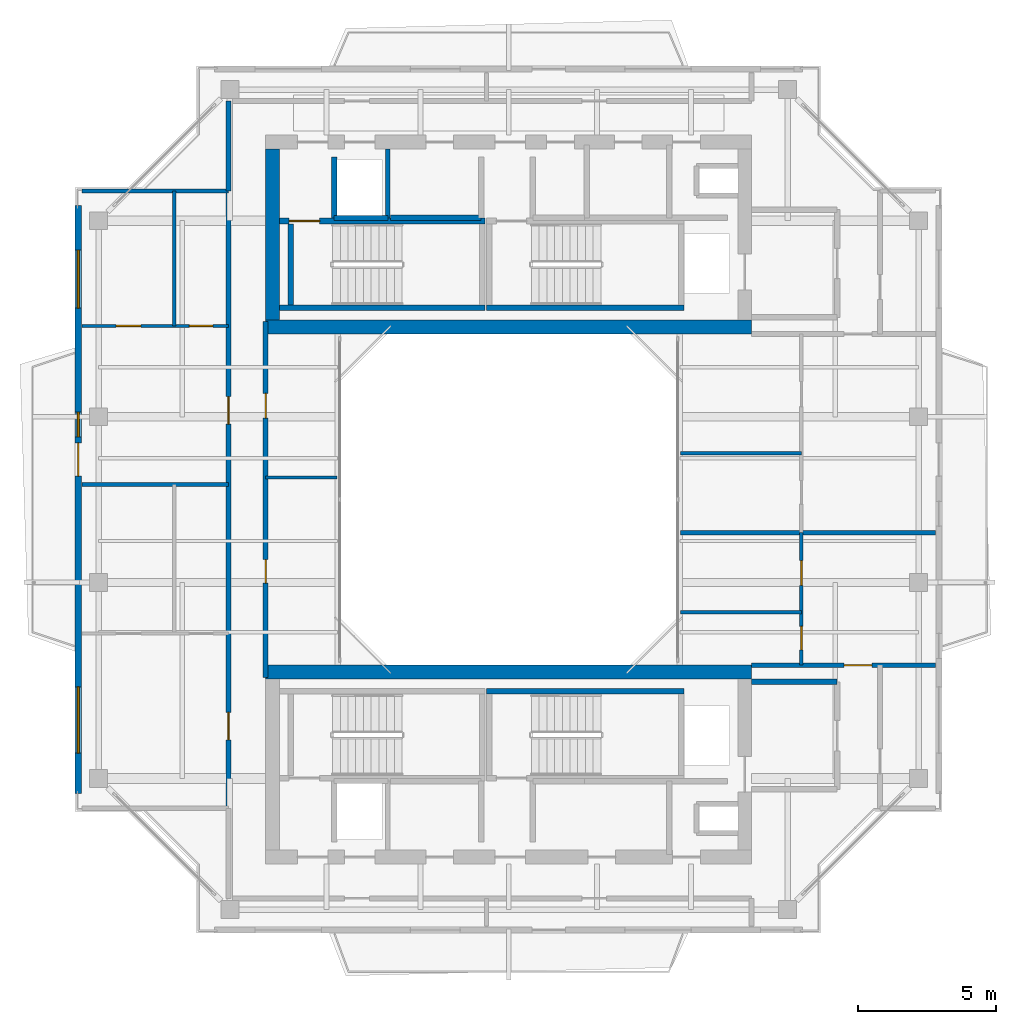
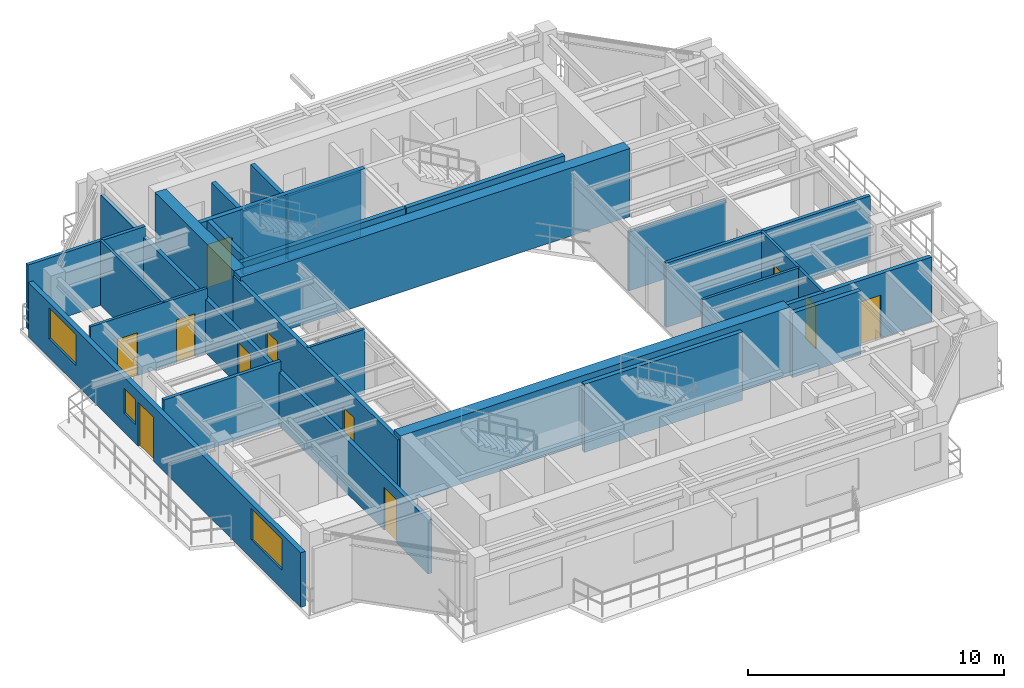
# One storey, part 10 of 14: 27 walls, 11 doors, 3 windows, 14 openings.
"""IFC4 building model written with IfcOpenShell, lengths in metres."""

from ifc_helpers import new_model, si_unit, direction, frame, frame_2d, origin, place, context, subcontext, project, spatial, rectangle, extrude, source, transform, mapped, material, layer, layer_set, type_object, element, fill, save


model = new_model("IFC4")

# Units and contexts
model_context = context("Model", 3, precision=1e-05, world=origin(), true_north=direction((0.0, 1.0)))
body_context = subcontext(model_context, "Body", "Model", "MODEL_VIEW")
ifc_project = project(units=[si_unit("LENGTHUNIT", "METRE"), si_unit("AREAUNIT", "SQUARE_METRE"), si_unit("VOLUMEUNIT", "CUBIC_METRE"), si_unit("PLANEANGLEUNIT", "RADIAN"), si_unit("MASSUNIT", "GRAM", prefix="KILO"), si_unit("THERMODYNAMICTEMPERATUREUNIT", "KELVIN"), si_unit("POWERUNIT", "WATT")], contexts=[model_context])

# Site, building, storey
site_placement = place(None, origin())
site = spatial("IfcSite", under=ifc_project, at=site_placement, CompositionType="ELEMENT")
building_placement = place(site_placement, origin())
building = spatial("IfcBuilding", under=site, at=building_placement, Name="Qiaomeng Ring Towers", CompositionType="ELEMENT")
storey_placement = place(building_placement, frame((0.0, 0.0, 247.0)))
storey = spatial("IfcBuildingStorey", under=building, at=storey_placement, Name="L72", CompositionType="ELEMENT", Elevation=247.0)

# Wall, openings, windows, door
ifc_material_1 = material(Name="Precast concrete C40", Category="concrete")
ifc_layer_1 = layer(ifc_material_1, 0.219970703125, Name="Precast concrete C40")
ifc_layer_set_1 = layer_set([ifc_layer_1], Name="Precast concrete C40")
wall_type_1 = type_object("IfcWallType", Name="ARC-WL-EW2", PredefinedType="STANDARD", material=ifc_layer_set_1)
wall_1_placement = place(storey_placement, frame((3.409912109375, 12.35009765625, 0.0), z_axis=(0.0, 0.0, 1.0), x_axis=(0.0, 1.0, 0.0)))
wall_1 = element("IfcWall", 1, at=wall_1_placement, inside=storey, type_object=wall_type_1, Name="L72 Tower 1 W Exterior Wall", PredefinedType="STANDARD", context=body_context, shape_type="SweptSolid", body=[
    extrude(rectangle(XDim=21.2998046875, YDim=0.219970703125, at=frame_2d((10.64990234375, 0.0))), origin(), (0.0, 0.0, 1.0), 2.610107421875),
])
opening_1_placement = place(wall_1_placement, frame((11.5, 0.0, 0.0)))
opening_1 = element("IfcOpeningElement", 2, at=opening_1_placement, cuts=wall_1, Name="Opening BD1", PredefinedType="OPENING", context=body_context, shape_type="SweptSolid", body=[
    extrude(rectangle(XDim=1.199951171875, YDim=2.10009765625, at=frame_2d((0.60009765625, 1.050048828125))), frame((0.0, 0.119873046875, 0.0), z_axis=(0.0, -1.0, 0.0), x_axis=(1.0, 0.0, 0.0)), (0.0, 0.0, 1.0), 0.239990234375),
])
opening_2_placement = place(wall_1_placement, frame((1.462890625, 0.0, 0.89990234375)))
opening_2 = element("IfcOpeningElement", 3, at=opening_2_placement, cuts=wall_1, Name="Opening WN6", PredefinedType="OPENING", context=body_context, shape_type="SweptSolid", body=[
    extrude(rectangle(XDim=2.39990234375, YDim=1.47998046875, at=frame_2d((1.199951171875, 0.739990234375))), frame((0.0, 0.119873046875, 0.0), z_axis=(0.0, -1.0, 0.0), x_axis=(1.0, 0.0, 0.0)), (0.0, 0.0, 1.0), 0.239990234375),
])
opening_3_placement = place(wall_1_placement, frame((17.587890625, 0.0, 0.89990234375)))
opening_3 = element("IfcOpeningElement", 4, at=opening_3_placement, cuts=wall_1, Name="Opening WN4", PredefinedType="OPENING", context=body_context, shape_type="SweptSolid", body=[
    extrude(rectangle(XDim=2.10009765625, YDim=1.47998046875, at=frame_2d((1.050048828125, 0.739990234375))), frame((0.0, 0.119873046875, 0.0), z_axis=(0.0, -1.0, 0.0), x_axis=(1.0, 0.0, 0.0)), (0.0, 0.0, 1.0), 0.239990234375),
])
opening_4_placement = place(wall_1_placement, frame((12.919921875, 0.0, 0.89990234375)))
opening_4 = element("IfcOpeningElement", 5, at=opening_4_placement, cuts=wall_1, Name="Opening WN5", PredefinedType="OPENING", context=body_context, shape_type="SweptSolid", body=[
    extrude(rectangle(XDim=0.89990234375, YDim=1.199951171875, at=frame_2d((0.449951171875, 0.60009765625))), frame((0.0, 0.119873046875, 0.0), z_axis=(0.0, -1.0, 0.0), x_axis=(1.0, 0.0, 0.0)), (0.0, 0.0, 1.0), 0.239990234375),
])
ifc_material_2 = material(Name="Low-E dark-grey laminated double glazing", Category="glass")
window_type_1 = type_object("IfcWindowType", Name="ARC-WN-4", PartitioningType="TRIPLE_PANEL_VERTICAL", PredefinedType="WINDOW", material=ifc_material_2)
shared_shape_1 = source(origin(), body_context, "Body", "SweptSolid", [
    extrude(rectangle(XDim=2.10009765625, YDim=1.47998046875, at=frame_2d((1.050048828125, 0.739990234375))), frame((0.0, 0.030029296875, 0.0), z_axis=(0.0, -1.0, 0.0), x_axis=(1.0, 0.0, 0.0)), (0.0, 0.0, 1.0), 0.06005859375),
])
window_1_placement = place(opening_3_placement, origin())
window_1 = element("IfcWindow", 6, at=window_1_placement, inside=storey, type_object=window_type_1, Name="L72 Exterior Window WN4", OverallHeight=1.47998046875, OverallWidth=2.10009765625, PartitioningType="TRIPLE_PANEL_VERTICAL", PredefinedType="WINDOW", context=body_context, shape_type="MappedRepresentation", body=[
    mapped(shared_shape_1, transform((0.0, 0.0, 0.0), x_axis=(1.0, 0.0, 0.0), y_axis=(0.0, 1.0, 0.0), z_axis=(0.0, 0.0, 1.0), scale=1.0)),
])
fill(opening_3, window_1)
window_type_2 = type_object("IfcWindowType", Name="ARC-WN-6", PartitioningType="TRIPLE_PANEL_VERTICAL", PredefinedType="WINDOW", material=ifc_material_2)
shared_shape_2 = source(origin(), body_context, "Body", "SweptSolid", [
    extrude(rectangle(XDim=2.39990234375, YDim=1.47998046875, at=frame_2d((1.199951171875, 0.739990234375))), frame((0.0, 0.030029296875, 0.0), z_axis=(0.0, -1.0, 0.0), x_axis=(1.0, 0.0, 0.0)), (0.0, 0.0, 1.0), 0.06005859375),
])
window_2_placement = place(opening_2_placement, origin())
window_2 = element("IfcWindow", 7, at=window_2_placement, inside=storey, type_object=window_type_2, Name="L72 Exterior Window WN6", OverallHeight=1.47998046875, OverallWidth=2.39990234375, PartitioningType="TRIPLE_PANEL_VERTICAL", PredefinedType="WINDOW", context=body_context, shape_type="MappedRepresentation", body=[
    mapped(shared_shape_2, transform((0.0, 0.0, 0.0), x_axis=(1.0, 0.0, 0.0), y_axis=(0.0, 1.0, 0.0), z_axis=(0.0, 0.0, 1.0), scale=1.0)),
])
fill(opening_2, window_2)
door_type_1 = type_object("IfcDoorType", Name="ARC-DR-BD1", OperationType="NOTDEFINED", PredefinedType="DOOR", material=ifc_material_2)
shared_shape_3 = source(origin(), body_context, "Body", "SweptSolid", [
    extrude(rectangle(XDim=1.199951171875, YDim=2.10009765625, at=frame_2d((0.60009765625, 1.050048828125))), frame((0.0, 0.02490234375, 0.0), z_axis=(0.0, -1.0, 0.0), x_axis=(1.0, 0.0, 0.0)), (0.0, 0.0, 1.0), 0.050048828125),
])
door_1_placement = place(opening_1_placement, frame((1.199951171875, 0.0, 0.0), z_axis=(0.0, 0.0, 1.0), x_axis=(-1.0, 0.0, 0.0)))
door_1 = element("IfcDoor", 8, at=door_1_placement, inside=storey, type_object=door_type_1, Name="L72 W Balcony Glazed Door", OperationType="SINGLE_SWING_LEFT", OverallHeight=2.10009765625, OverallWidth=1.199951171875, PredefinedType="DOOR", context=body_context, shape_type="MappedRepresentation", body=[
    mapped(shared_shape_3, transform((0.0, 0.0, 0.0), x_axis=(1.0, 0.0, 0.0), y_axis=(0.0, 1.0, 0.0), z_axis=(0.0, 0.0, 1.0), scale=1.0)),
])
fill(opening_1, door_1)
window_type_3 = type_object("IfcWindowType", Name="ARC-WN-5", PartitioningType="SINGLE_PANEL", PredefinedType="WINDOW", material=ifc_material_2)
shared_shape_4 = source(origin(), body_context, "Body", "SweptSolid", [
    extrude(rectangle(XDim=0.89990234375, YDim=1.199951171875, at=frame_2d((0.449951171875, 0.60009765625))), frame((0.0, 0.030029296875, 0.0), z_axis=(0.0, -1.0, 0.0), x_axis=(1.0, 0.0, 0.0)), (0.0, 0.0, 1.0), 0.06005859375),
])
window_3_placement = place(opening_4_placement, origin())
window_3 = element("IfcWindow", 9, at=window_3_placement, inside=storey, type_object=window_type_3, Name="L72 Exterior Window WN5", OverallHeight=1.199951171875, OverallWidth=0.89990234375, PartitioningType="SINGLE_PANEL", PredefinedType="WINDOW", context=body_context, shape_type="MappedRepresentation", body=[
    mapped(shared_shape_4, transform((0.0, 0.0, 0.0), x_axis=(1.0, 0.0, 0.0), y_axis=(0.0, 1.0, 0.0), z_axis=(0.0, 0.0, 1.0), scale=1.0)),
])
fill(opening_4, window_3)

# Walls
ifc_material_3 = material(Name="Autoclaved aerated concrete block", Category="concrete")
ifc_layer_2 = layer(ifc_material_3, 0.199951171875, Name="Autoclaved aerated concrete block")
ifc_layer_set_2 = layer_set([ifc_layer_2], Name="Autoclaved aerated concrete block")
wall_type_2 = type_object("IfcWallType", Name="ARC-WL-PW1", PredefinedType="PARTITIONING", material=ifc_layer_set_2)
wall_2_placement = place(storey_placement, frame((27.800048828125, 16.39990234375, 0.0), z_axis=(0.0, 0.0, 1.0), x_axis=(1.0, 0.0, 0.0)))
element("IfcWall", 10, at=wall_2_placement, inside=storey, type_object=wall_type_2, Name="L72 Interior Wall PW1", PredefinedType="PARTITIONING", context=body_context, shape_type="SweptSolid", body=[
    extrude(rectangle(XDim=3.099853515625, YDim=0.199951171875, at=frame_2d((1.5498046875, 0.0))), origin(), (0.0, 0.0, 1.0), 3.070068359375),
])
wall_3_placement = place(storey_placement, frame((12.679931640625, 33.18994140625, 0.0), z_axis=(0.0, 0.0, 1.0), x_axis=(0.0, 1.0, 0.0)))
element("IfcWall", 11, at=wall_3_placement, inside=storey, type_object=wall_type_2, Name="L72 Interior Wall PW1", PredefinedType="PARTITIONING", context=body_context, shape_type="SweptSolid", body=[
    extrude(rectangle(XDim=2.2099609375, YDim=0.199951171875, at=frame_2d((1.10498046875, 0.0))), origin(), (0.0, 0.0, 1.0), 3.070068359375),
])
wall_4_placement = place(storey_placement, frame((14.719970703125, 33.199951171875, 0.0), z_axis=(0.0, 0.0, 1.0), x_axis=(1.0, 0.0, 0.0)))
element("IfcWall", 12, at=wall_4_placement, inside=storey, type_object=wall_type_2, Name="L72 Interior Wall PW1", PredefinedType="PARTITIONING", context=body_context, shape_type="SweptSolid", body=[
    extrude(rectangle(XDim=3.280029296875, YDim=0.199951171875, at=frame_2d((1.64013671875, 0.0))), origin(), (0.0, 0.0, 1.0), 3.070068359375),
])
ifc_layer_3 = layer(ifc_material_3, 0.179931640625, Name="Autoclaved aerated concrete block")
ifc_layer_set_3 = layer_set([ifc_layer_3], Name="Autoclaved aerated concrete block")
wall_type_3 = type_object("IfcWallType", Name="ARC-WL-PW2", PredefinedType="PARTITIONING", material=ifc_layer_set_3)
wall_5_placement = place(storey_placement, frame((8.85009765625, 34.179931640625, 0.0), z_axis=(0.0, 0.0, 1.0), x_axis=(0.0, 1.0, 0.0)))
element("IfcWall", 13, at=wall_5_placement, inside=storey, type_object=wall_type_3, Name="L72 Interior Wall PW2", PredefinedType="PARTITIONING", context=body_context, shape_type="SweptSolid", body=[
    extrude(rectangle(XDim=3.260009765625, YDim=0.179931640625, at=frame_2d((1.6298828125, 0.0))), origin(), (0.0, 0.0, 1.0), 2.569091796875),
])

# Wall, openings, doors
wall_6_placement = place(storey_placement, frame((8.85009765625, 11.820068359375, 0.0), z_axis=(0.0, 0.0, 1.0), x_axis=(0.0, 1.0, 0.0)))
wall_6 = element("IfcWall", 14, at=wall_6_placement, inside=storey, type_object=wall_type_3, Name="L72 Interior Wall PW2", PredefinedType="PARTITIONING", context=body_context, shape_type="SweptSolid", body=[
    extrude(rectangle(XDim=22.35986328125, YDim=0.179931640625, at=frame_2d((11.179931640625, 0.0))), origin(), (0.0, 0.0, 1.0), 2.569091796875),
])
opening_5_placement = place(wall_6_placement, frame((2.47509765625, 0.0, 0.0)))
opening_5 = element("IfcOpeningElement", 15, at=opening_5_placement, cuts=wall_6, Name="Opening FD4", PredefinedType="OPENING", context=body_context, shape_type="SweptSolid", body=[
    extrude(rectangle(XDim=1.0, YDim=2.050048828125, at=frame_2d((0.5, 1.02490234375))), frame((0.0, 0.099853515625, 0.0), z_axis=(0.0, -1.0, 0.0), x_axis=(1.0, 0.0, 0.0)), (0.0, 0.0, 1.0), 0.199951171875),
])
opening_6_placement = place(wall_6_placement, frame((13.909912109375, 0.0, 0.0)))
opening_6 = element("IfcOpeningElement", 16, at=opening_6_placement, cuts=wall_6, Name="Opening FD4", PredefinedType="OPENING", context=body_context, shape_type="SweptSolid", body=[
    extrude(rectangle(XDim=1.0, YDim=2.050048828125, at=frame_2d((0.5, 1.02490234375))), frame((0.0, 0.099853515625, 0.0), z_axis=(0.0, -1.0, 0.0), x_axis=(1.0, 0.0, 0.0)), (0.0, 0.0, 1.0), 0.199951171875),
])
ifc_material_4 = material(Name="Engineered fire-rated oak timber", Category="wood")
door_type_2 = type_object("IfcDoorType", Name="ARC-DR-FD4", OperationType="NOTDEFINED", PredefinedType="DOOR", material=ifc_material_4)
shared_shape_5 = source(origin(), body_context, "Body", "SweptSolid", [
    extrude(rectangle(XDim=1.0, YDim=2.050048828125, at=frame_2d((0.5, 1.02490234375))), frame((0.0, 0.02490234375, 0.0), z_axis=(0.0, -1.0, 0.0), x_axis=(1.0, 0.0, 0.0)), (0.0, 0.0, 1.0), 0.050048828125),
])
door_2_placement = place(opening_5_placement, origin())
door_2 = element("IfcDoor", 17, at=door_2_placement, inside=storey, type_object=door_type_2, Name="L72 Door FD4", OperationType="SINGLE_SWING_RIGHT", OverallHeight=2.050048828125, OverallWidth=1.0, PredefinedType="DOOR", context=body_context, shape_type="MappedRepresentation", body=[
    mapped(shared_shape_5, transform((0.0, 0.0, 0.0), x_axis=(1.0, 0.0, 0.0), y_axis=(0.0, 1.0, 0.0), z_axis=(0.0, 0.0, 1.0), scale=1.0)),
])
fill(opening_5, door_2)
door_3_placement = place(opening_6_placement, origin())
door_3 = element("IfcDoor", 18, at=door_3_placement, inside=storey, type_object=door_type_2, Name="L72 Door FD4", OperationType="SINGLE_SWING_LEFT", OverallHeight=2.050048828125, OverallWidth=1.0, PredefinedType="DOOR", context=body_context, shape_type="MappedRepresentation", body=[
    mapped(shared_shape_5, transform((0.0, 0.0, 0.0), x_axis=(1.0, 0.0, 0.0), y_axis=(0.0, 1.0, 0.0), z_axis=(0.0, 0.0, 1.0), scale=1.0)),
])
fill(opening_6, door_3)

wall_7_placement = place(storey_placement, frame((10.199951171875, 16.550048828125, 0.0), z_axis=(0.0, 0.0, 1.0), x_axis=(0.0, 1.0, 0.0)))
wall_7 = element("IfcWall", 19, at=wall_7_placement, inside=storey, type_object=wall_type_3, Name="L72 Interior Wall PW2", PredefinedType="PARTITIONING", context=body_context, shape_type="SweptSolid", body=[
    extrude(rectangle(XDim=12.89990234375, YDim=0.179931640625, at=frame_2d((6.449951171875, 0.0))), origin(), (0.0, 0.0, 1.0), 3.070068359375),
])
opening_7_placement = place(wall_7_placement, frame((3.425048828125, 0.0, 0.0)))
opening_7 = element("IfcOpeningElement", 20, at=opening_7_placement, cuts=wall_7, Name="Opening ID2", PredefinedType="OPENING", context=body_context, shape_type="SweptSolid", body=[
    extrude(rectangle(XDim=0.85009765625, YDim=2.050048828125, at=frame_2d((0.425048828125, 1.02490234375))), frame((0.0, 0.099853515625, 0.0), z_axis=(0.0, -1.0, 0.0), x_axis=(1.0, 0.0, 0.0)), (0.0, 0.0, 1.0), 0.199951171875),
])
opening_8_placement = place(wall_7_placement, frame((9.39990234375, 0.0, 0.0)))
opening_8 = element("IfcOpeningElement", 21, at=opening_8_placement, cuts=wall_7, Name="Opening ID1", PredefinedType="OPENING", context=body_context, shape_type="SweptSolid", body=[
    extrude(rectangle(XDim=0.89990234375, YDim=2.050048828125, at=frame_2d((0.449951171875, 1.02490234375))), frame((0.0, 0.099853515625, 0.0), z_axis=(0.0, -1.0, 0.0), x_axis=(1.0, 0.0, 0.0)), (0.0, 0.0, 1.0), 0.199951171875),
])
ifc_material_5 = material(Name="Moisture-resistant engineered timber", Category="wood")
door_type_3 = type_object("IfcDoorType", Name="ARC-DR-ID2", OperationType="NOTDEFINED", PredefinedType="DOOR", material=ifc_material_5)
shared_shape_6 = source(origin(), body_context, "Body", "SweptSolid", [
    extrude(rectangle(XDim=0.85009765625, YDim=2.050048828125, at=frame_2d((0.425048828125, 1.02490234375))), frame((0.0, 0.02490234375, 0.0), z_axis=(0.0, -1.0, 0.0), x_axis=(1.0, 0.0, 0.0)), (0.0, 0.0, 1.0), 0.050048828125),
])
door_4_placement = place(opening_7_placement, origin())
door_4 = element("IfcDoor", 22, at=door_4_placement, inside=storey, type_object=door_type_3, Name="L72 Door ID2", OperationType="SINGLE_SWING_RIGHT", OverallHeight=2.050048828125, OverallWidth=0.85009765625, PredefinedType="DOOR", context=body_context, shape_type="MappedRepresentation", body=[
    mapped(shared_shape_6, transform((0.0, 0.0, 0.0), x_axis=(1.0, 0.0, 0.0), y_axis=(0.0, 1.0, 0.0), z_axis=(0.0, 0.0, 1.0), scale=1.0)),
])
fill(opening_7, door_4)
ifc_material_6 = material(Name="Engineered oak timber", Category="wood")
door_type_4 = type_object("IfcDoorType", Name="ARC-DR-ID1", OperationType="NOTDEFINED", PredefinedType="DOOR", material=ifc_material_6)
shared_shape_7 = source(origin(), body_context, "Body", "SweptSolid", [
    extrude(rectangle(XDim=0.89990234375, YDim=2.050048828125, at=frame_2d((0.449951171875, 1.02490234375))), frame((0.0, 0.02490234375, 0.0), z_axis=(0.0, -1.0, 0.0), x_axis=(1.0, 0.0, 0.0)), (0.0, 0.0, 1.0), 0.050048828125),
])
door_5_placement = place(opening_8_placement, origin())
door_5 = element("IfcDoor", 23, at=door_5_placement, inside=storey, type_object=door_type_4, Name="L72 Door ID1", OperationType="SINGLE_SWING_LEFT", OverallHeight=2.050048828125, OverallWidth=0.89990234375, PredefinedType="DOOR", context=body_context, shape_type="MappedRepresentation", body=[
    mapped(shared_shape_7, transform((0.0, 0.0, 0.0), x_axis=(1.0, 0.0, 0.0), y_axis=(0.0, 1.0, 0.0), z_axis=(0.0, 0.0, 1.0), scale=1.0)),
])
fill(opening_8, door_5)

# Wall, opening, door
wall_8_placement = place(storey_placement, frame((27.800048828125, 17.0, 0.0), z_axis=(0.0, 0.0, 1.0), x_axis=(1.0, 0.0, 0.0)))
wall_8 = element("IfcWall", 24, at=wall_8_placement, inside=storey, type_object=wall_type_3, Name="L72 Interior Wall PW2", PredefinedType="PARTITIONING", context=body_context, shape_type="SweptSolid", body=[
    extrude(rectangle(XDim=6.64990234375, YDim=0.179931640625, at=frame_2d((3.324951171875, 0.0))), origin(), (0.0, 0.0, 1.0), 3.070068359375),
])
opening_9_placement = place(wall_8_placement, frame((3.35009765625, 0.0, 0.0)))
opening_9 = element("IfcOpeningElement", 25, at=opening_9_placement, cuts=wall_8, Name="Opening FD4", PredefinedType="OPENING", context=body_context, shape_type="SweptSolid", body=[
    extrude(rectangle(XDim=1.0, YDim=2.050048828125, at=frame_2d((0.5, 1.02490234375))), frame((0.0, 0.099853515625, 0.0), z_axis=(0.0, -1.0, 0.0), x_axis=(1.0, 0.0, 0.0)), (0.0, 0.0, 1.0), 0.199951171875),
])
door_6_placement = place(opening_9_placement, origin())
door_6 = element("IfcDoor", 26, at=door_6_placement, inside=storey, type_object=door_type_2, Name="L72 Door FD4", OperationType="SINGLE_SWING_RIGHT", OverallHeight=2.050048828125, OverallWidth=1.0, PredefinedType="DOOR", context=body_context, shape_type="MappedRepresentation", body=[
    mapped(shared_shape_5, transform((0.0, 0.0, 0.0), x_axis=(1.0, 0.0, 0.0), y_axis=(0.0, 1.0, 0.0), z_axis=(0.0, 0.0, 1.0), scale=1.0)),
])
fill(opening_9, door_6)

# Walls
ifc_material_7 = material(Name="Gypsum fireboard steel-stud partition", Category="steel")
ifc_layer_4 = layer(ifc_material_7, 0.14990234375, Name="Gypsum fireboard steel-stud partition")
ifc_layer_set_4 = layer_set([ifc_layer_4], Name="Gypsum fireboard steel-stud partition")
wall_type_4 = type_object("IfcWallType", Name="ARC-WL-PW3", PredefinedType="PARTITIONING", material=ifc_layer_set_4)
for number, where, z_axis, x_axis, name in (
    (27, (3.550048828125, 34.179931640625, 0.0), (0.0, 0.0, 1.0), (1.0, 0.0, 0.0), "L72 Interior Wall PW3"),
    (28, (3.550048828125, 23.550048828125, 0.0), (0.0, 0.0, 1.0), (1.0, 0.0, 0.0), "L72 Interior Wall PW3"),
):
    element("IfcWall", number, at=place(storey_placement, frame(where, z_axis=z_axis, x_axis=x_axis)), inside=storey, type_object=wall_type_4, Name=name, PredefinedType="PARTITIONING", context=body_context, shape_type="SweptSolid", body=[
        extrude(rectangle(XDim=5.300048828125, YDim=0.14990234375, at=frame_2d((2.64990234375, 0.0))), origin(), (0.0, 0.0, 1.0), 3.070068359375),
    ])
wall_9_placement = place(storey_placement, frame((25.219970703125, 21.800048828125, 0.0), z_axis=(0.0, 0.0, 1.0), x_axis=(1.0, 0.0, 0.0)))
element("IfcWall", 29, at=wall_9_placement, inside=storey, type_object=wall_type_4, Name="L72 Interior Wall PW3", PredefinedType="PARTITIONING", context=body_context, shape_type="SweptSolid", body=[
    extrude(rectangle(XDim=9.22998046875, YDim=0.14990234375, at=frame_2d((4.614990234375, 0.0))), origin(), (0.0, 0.0, 1.0), 3.070068359375),
])

# Wall, openings, doors
ifc_material_8 = material(Name="Moisture-resistant gypsum steel-stud partition", Category="steel")
ifc_layer_5 = layer(ifc_material_8, 0.1201171875, Name="Moisture-resistant gypsum steel-stud partition")
ifc_layer_set_5 = layer_set([ifc_layer_5], Name="Moisture-resistant gypsum steel-stud partition")
wall_type_5 = type_object("IfcWallType", Name="ARC-WL-PW4", PredefinedType="PLUMBINGWALL", material=ifc_layer_set_5)
wall_10_placement = place(storey_placement, frame((3.550048828125, 29.2900390625, 0.0), z_axis=(0.0, 0.0, 1.0), x_axis=(1.0, 0.0, 0.0)))
wall_10 = element("IfcWall", 30, at=wall_10_placement, inside=storey, type_object=wall_type_5, Name="L72 Interior Wall PW4", PredefinedType="PLUMBINGWALL", context=body_context, shape_type="SweptSolid", body=[
    extrude(rectangle(XDim=5.300048828125, YDim=0.1201171875, at=frame_2d((2.64990234375, 0.0))), origin(), (0.0, 0.0, 1.0), 3.070068359375),
])
opening_10_placement = place(wall_10_placement, frame((1.22998046875, 0.0, 0.0)))
opening_10 = element("IfcOpeningElement", 31, at=opening_10_placement, cuts=wall_10, Name="Opening ID1", PredefinedType="OPENING", context=body_context, shape_type="SweptSolid", body=[
    extrude(rectangle(XDim=0.89990234375, YDim=2.050048828125, at=frame_2d((0.449951171875, 1.02490234375))), frame((0.0, 0.070068359375, 0.0), z_axis=(0.0, -1.0, 0.0), x_axis=(1.0, 0.0, 0.0)), (0.0, 0.0, 1.0), 0.14013671875),
])
opening_11_placement = place(wall_10_placement, frame((3.885009765625, 0.0, 0.0)))
opening_11 = element("IfcOpeningElement", 32, at=opening_11_placement, cuts=wall_10, Name="Opening ID2", PredefinedType="OPENING", context=body_context, shape_type="SweptSolid", body=[
    extrude(rectangle(XDim=0.85009765625, YDim=2.050048828125, at=frame_2d((0.425048828125, 1.02490234375))), frame((0.0, 0.070068359375, 0.0), z_axis=(0.0, -1.0, 0.0), x_axis=(1.0, 0.0, 0.0)), (0.0, 0.0, 1.0), 0.14013671875),
])
door_7_placement = place(opening_11_placement, origin())
door_7 = element("IfcDoor", 33, at=door_7_placement, inside=storey, type_object=door_type_3, Name="L72 Door ID2", OperationType="SINGLE_SWING_RIGHT", OverallHeight=2.050048828125, OverallWidth=0.85009765625, PredefinedType="DOOR", context=body_context, shape_type="MappedRepresentation", body=[
    mapped(shared_shape_6, transform((0.0, 0.0, 0.0), x_axis=(1.0, 0.0, 0.0), y_axis=(0.0, 1.0, 0.0), z_axis=(0.0, 0.0, 1.0), scale=1.0)),
])
fill(opening_11, door_7)
door_8_placement = place(opening_10_placement, origin())
door_8 = element("IfcDoor", 34, at=door_8_placement, inside=storey, type_object=door_type_4, Name="L72 Door ID1", OperationType="SINGLE_SWING_LEFT", OverallHeight=2.050048828125, OverallWidth=0.89990234375, PredefinedType="DOOR", context=body_context, shape_type="MappedRepresentation", body=[
    mapped(shared_shape_7, transform((0.0, 0.0, 0.0), x_axis=(1.0, 0.0, 0.0), y_axis=(0.0, 1.0, 0.0), z_axis=(0.0, 0.0, 1.0), scale=1.0)),
])
fill(opening_10, door_8)

# Walls
wall_11_placement = place(storey_placement, frame((6.889892578125, 29.2900390625, 0.0), z_axis=(0.0, 0.0, 1.0), x_axis=(0.0, 1.0, 0.0)))
element("IfcWall", 35, at=wall_11_placement, inside=storey, type_object=wall_type_5, Name="L72 Interior Wall PW4", PredefinedType="PLUMBINGWALL", context=body_context, shape_type="SweptSolid", body=[
    extrude(rectangle(XDim=4.889892578125, YDim=0.1201171875, at=frame_2d((2.44482421875, 0.0))), origin(), (0.0, 0.0, 1.0), 3.070068359375),
])
wall_12_placement = place(storey_placement, frame((10.199951171875, 23.800048828125, 0.0), z_axis=(0.0, 0.0, 1.0), x_axis=(1.0, 0.0, 0.0)))
element("IfcWall", 36, at=wall_12_placement, inside=storey, type_object=wall_type_5, Name="L72 Interior Wall PW4", PredefinedType="PLUMBINGWALL", context=body_context, shape_type="SweptSolid", body=[
    extrude(rectangle(XDim=2.580078125, YDim=0.1201171875, at=frame_2d((1.2900390625, 0.0))), origin(), (0.0, 0.0, 1.0), 3.070068359375),
])

# Wall, openings, doors
wall_13_placement = place(storey_placement, frame((29.60009765625, 17.0, 0.0), z_axis=(0.0, 0.0, 1.0), x_axis=(0.0, 1.0, 0.0)))
wall_13 = element("IfcWall", 37, at=wall_13_placement, inside=storey, type_object=wall_type_5, Name="L72 Interior Wall PW4", PredefinedType="PLUMBINGWALL", context=body_context, shape_type="SweptSolid", body=[
    extrude(rectangle(XDim=4.800048828125, YDim=0.1201171875, at=frame_2d((2.39990234375, 0.0))), origin(), (0.0, 0.0, 1.0), 3.070068359375),
])
opening_12_placement = place(wall_13_placement, frame((0.554931640625, 0.0, 0.0)))
opening_12 = element("IfcOpeningElement", 38, at=opening_12_placement, cuts=wall_13, Name="Opening ID2", PredefinedType="OPENING", context=body_context, shape_type="SweptSolid", body=[
    extrude(rectangle(XDim=0.85009765625, YDim=2.050048828125, at=frame_2d((0.425048828125, 1.02490234375))), frame((0.0, 0.070068359375, 0.0), z_axis=(0.0, -1.0, 0.0), x_axis=(1.0, 0.0, 0.0)), (0.0, 0.0, 1.0), 0.14013671875),
])
opening_13_placement = place(wall_13_placement, frame((2.889892578125, 0.0, 0.0)))
opening_13 = element("IfcOpeningElement", 39, at=opening_13_placement, cuts=wall_13, Name="Opening ID1", PredefinedType="OPENING", context=body_context, shape_type="SweptSolid", body=[
    extrude(rectangle(XDim=0.89990234375, YDim=2.050048828125, at=frame_2d((0.449951171875, 1.02490234375))), frame((0.0, 0.070068359375, 0.0), z_axis=(0.0, -1.0, 0.0), x_axis=(1.0, 0.0, 0.0)), (0.0, 0.0, 1.0), 0.14013671875),
])
door_9_placement = place(opening_12_placement, origin())
door_9 = element("IfcDoor", 40, at=door_9_placement, inside=storey, type_object=door_type_3, Name="L72 Door ID2", OperationType="SINGLE_SWING_RIGHT", OverallHeight=2.050048828125, OverallWidth=0.85009765625, PredefinedType="DOOR", context=body_context, shape_type="MappedRepresentation", body=[
    mapped(shared_shape_6, transform((0.0, 0.0, 0.0), x_axis=(1.0, 0.0, 0.0), y_axis=(0.0, 1.0, 0.0), z_axis=(0.0, 0.0, 1.0), scale=1.0)),
])
fill(opening_12, door_9)
door_10_placement = place(opening_13_placement, origin())
door_10 = element("IfcDoor", 41, at=door_10_placement, inside=storey, type_object=door_type_4, Name="L72 Door ID1", OperationType="SINGLE_SWING_LEFT", OverallHeight=2.050048828125, OverallWidth=0.89990234375, PredefinedType="DOOR", context=body_context, shape_type="MappedRepresentation", body=[
    mapped(shared_shape_7, transform((0.0, 0.0, 0.0), x_axis=(1.0, 0.0, 0.0), y_axis=(0.0, 1.0, 0.0), z_axis=(0.0, 0.0, 1.0), scale=1.0)),
])
fill(opening_13, door_10)

# Walls
wall_14_placement = place(storey_placement, frame((25.219970703125, 18.919921875, 0.0), z_axis=(0.0, 0.0, 1.0), x_axis=(1.0, 0.0, 0.0)))
element("IfcWall", 42, at=wall_14_placement, inside=storey, type_object=wall_type_5, Name="L72 Interior Wall PW4", PredefinedType="PLUMBINGWALL", context=body_context, shape_type="SweptSolid", body=[
    extrude(rectangle(XDim=4.380126953125, YDim=0.1201171875, at=frame_2d((2.18994140625, 0.0))), origin(), (0.0, 0.0, 1.0), 3.070068359375),
])
wall_15_placement = place(storey_placement, frame((25.219970703125, 24.679931640625, 0.0), z_axis=(0.0, 0.0, 1.0), x_axis=(1.0, 0.0, 0.0)))
element("IfcWall", 43, at=wall_15_placement, inside=storey, type_object=wall_type_5, Name="L72 Interior Wall PW4", PredefinedType="PLUMBINGWALL", context=body_context, shape_type="SweptSolid", body=[
    extrude(rectangle(XDim=4.380126953125, YDim=0.1201171875, at=frame_2d((2.18994140625, 0.0))), origin(), (0.0, 0.0, 1.0), 2.81494140625),
])
ifc_material_9 = material(Name="Concrete C40", Category="concrete")
ifc_layer_6 = layer(ifc_material_9, 0.199951171875, Name="Concrete C40")
ifc_layer_set_6 = layer_set([ifc_layer_6], Name="Concrete C40")
wall_type_6 = type_object("IfcWallType", Name="STR-WL-STSHAFT", PredefinedType="SHEAR", material=ifc_layer_set_6)
wall_16_placement = place(storey_placement, frame((12.679931640625, 33.199951171875, 0.0), z_axis=(0.0, 0.0, 1.0), x_axis=(1.0, 0.0, 0.0)))
element("IfcWall", 44, at=wall_16_placement, inside=storey, type_object=wall_type_6, Name="L72 Lift LP5 Shaft Back Wall", PredefinedType="SHEAR", context=body_context, shape_type="SweptSolid", body=[
    extrude(rectangle(XDim=1.940185546875, YDim=0.179931640625, at=frame_2d((0.97021484375, 0.0))), origin(), (0.0, 0.0, 1.0), 3.070068359375),
])
wall_17_placement = place(storey_placement, frame((14.6201171875, 33.199951171875, 0.0), z_axis=(0.0, 0.0, 1.0), x_axis=(0.0, 1.0, 0.0)))
element("IfcWall", 45, at=wall_17_placement, inside=storey, type_object=wall_type_6, Name="L72 Lift LP5-LP3 Shaft Divider Wall", PredefinedType="SHEAR", context=body_context, shape_type="SweptSolid", body=[
    extrude(rectangle(XDim=2.5, YDim=0.179931640625, at=frame_2d((1.25, 0.0))), origin(), (0.0, 0.0, 1.0), 3.070068359375),
])
wall_18_placement = place(storey_placement, frame((10.699951171875, 29.949951171875, 0.0), z_axis=(0.0, 0.0, 1.0), x_axis=(1.0, 0.0, 0.0)))
element("IfcWall", 46, at=wall_18_placement, inside=storey, type_object=wall_type_6, Name="L72 Stair ST1 South Shaft Shear Wall", PredefinedType="SHEAR", context=body_context, shape_type="SweptSolid", body=[
    extrude(rectangle(XDim=7.449951171875, YDim=0.199951171875, at=frame_2d((3.72509765625, 0.0))), origin(), (0.0, 0.0, 1.0), 3.25),
])

# Wall, opening, door
wall_19_placement = place(storey_placement, frame((10.699951171875, 33.090087890625, 0.0), z_axis=(0.0, 0.0, 1.0), x_axis=(1.0, 0.0, 0.0)))
wall_19 = element("IfcWall", 47, at=wall_19_placement, inside=storey, type_object=wall_type_6, Name="L72 Stair ST1 North Shaft Shear Wall", PredefinedType="SHEAR", context=body_context, shape_type="SweptSolid", body=[
    extrude(rectangle(XDim=7.449951171875, YDim=0.199951171875, at=frame_2d((3.72509765625, 0.0))), origin(), (0.0, 0.0, 1.0), 3.25),
])
opening_14_placement = place(wall_19_placement, frame((0.35009765625, 0.0, 0.0)))
opening_14 = element("IfcOpeningElement", 48, at=opening_14_placement, cuts=wall_19, Name="Opening FD3", PredefinedType="OPENING", context=body_context, shape_type="SweptSolid", body=[
    extrude(rectangle(XDim=1.10009765625, YDim=2.050048828125, at=frame_2d((0.550048828125, 1.02490234375))), frame((0.0, 0.10986328125, 0.0), z_axis=(0.0, -1.0, 0.0), x_axis=(1.0, 0.0, 0.0)), (0.0, 0.0, 1.0), 0.219970703125),
])
ifc_material_10 = material(Name="Galvanised steel", Category="steel")
door_type_5 = type_object("IfcDoorType", Name="ARC-DR-FD3", OperationType="NOTDEFINED", PredefinedType="DOOR", material=ifc_material_10)
shared_shape_8 = source(origin(), body_context, "Body", "SweptSolid", [
    extrude(rectangle(XDim=1.10009765625, YDim=2.050048828125, at=frame_2d((0.550048828125, 1.02490234375))), frame((0.0, 0.02490234375, 0.0), z_axis=(0.0, -1.0, 0.0), x_axis=(1.0, 0.0, 0.0)), (0.0, 0.0, 1.0), 0.050048828125),
])
door_11_placement = place(opening_14_placement, origin())
door_11 = element("IfcDoor", 49, at=door_11_placement, inside=storey, type_object=door_type_5, Name="L72 Stair ST1 Exit Door", OperationType="SINGLE_SWING_RIGHT", OverallHeight=2.050048828125, OverallWidth=1.10009765625, PredefinedType="DOOR", context=body_context, shape_type="MappedRepresentation", body=[
    mapped(shared_shape_8, transform((0.0, 0.0, 0.0), x_axis=(1.0, 0.0, 0.0), y_axis=(0.0, 1.0, 0.0), z_axis=(0.0, 0.0, 1.0), scale=1.0)),
])
fill(opening_14, door_11)

# Walls
wall_20_placement = place(storey_placement, frame((11.10009765625, 30.050048828125, 0.0), z_axis=(0.0, 0.0, 1.0), x_axis=(0.0, 1.0, 0.0)))
element("IfcWall", 50, at=wall_20_placement, inside=storey, type_object=wall_type_6, Name="L72 Stair ST1 West Shaft Shear Wall", PredefinedType="SHEAR", context=body_context, shape_type="SweptSolid", body=[
    extrude(rectangle(XDim=2.93994140625, YDim=0.199951171875, at=frame_2d((1.469970703125, 0.0))), origin(), (0.0, 0.0, 1.0), 3.25),
])
for number, where, z_axis, x_axis, name in (
    (51, (18.199951171875, 29.949951171875, 0.0), (0.0, 0.0, 1.0), (1.0, 0.0, 0.0), "L72 Stair ST2 South Shaft Shear Wall"),
    (52, (18.199951171875, 16.050048828125, 0.0), (0.0, 0.0, 1.0), (1.0, 0.0, 0.0), "L72 Stair ST4 North Shaft Shear Wall"),
):
    element("IfcWall", number, at=place(storey_placement, frame(where, z_axis=z_axis, x_axis=x_axis)), inside=storey, type_object=wall_type_6, Name=name, PredefinedType="SHEAR", context=body_context, shape_type="SweptSolid", body=[
        extrude(rectangle(XDim=7.150146484375, YDim=0.199951171875, at=frame_2d((3.5751953125, 0.0))), origin(), (0.0, 0.0, 1.0), 3.25),
    ])
ifc_layer_7 = layer(ifc_material_9, 0.5, Name="Concrete C40")
ifc_layer_set_7 = layer_set([ifc_layer_7], Name="Concrete C40")
wall_type_7 = type_object("IfcWallType", Name="STR-WL-SW3", PredefinedType="SHEAR", material=ifc_layer_set_7)
wall_21_placement = place(storey_placement, frame((10.199951171875, 29.25, 0.0), z_axis=(0.0, 0.0, 1.0), x_axis=(1.0, 0.0, 0.0)))
element("IfcWall", 53, at=wall_21_placement, inside=storey, type_object=wall_type_7, Name="L72 T1NC south core shear wall", PredefinedType="SHEAR", context=body_context, shape_type="SweptSolid", body=[
    extrude(rectangle(XDim=17.60009765625, YDim=0.5, at=frame_2d((8.800048828125, 0.0))), origin(), (0.0, 0.0, 1.0), 3.25),
])
wall_22_placement = place(storey_placement, frame((10.449951171875, 29.5, 0.0), z_axis=(0.0, 0.0, 1.0), x_axis=(0.0, 1.0, 0.0)))
element("IfcWall", 54, at=wall_22_placement, inside=storey, type_object=wall_type_7, Name="L72 T1NC west core shear wall", PredefinedType="SHEAR", context=body_context, shape_type="SweptSolid", body=[
    extrude(rectangle(XDim=6.199951171875, YDim=0.5, at=frame_2d((3.10009765625, 0.0))), origin(), (0.0, 0.0, 1.0), 3.25),
])
wall_23_placement = place(storey_placement, frame((10.199951171875, 16.75, 0.0), z_axis=(0.0, 0.0, 1.0), x_axis=(1.0, 0.0, 0.0)))
element("IfcWall", 55, at=wall_23_placement, inside=storey, type_object=wall_type_7, Name="L72 T1SC north core shear wall", PredefinedType="SHEAR", context=body_context, shape_type="SweptSolid", body=[
    extrude(rectangle(XDim=17.60009765625, YDim=0.5, at=frame_2d((8.800048828125, 0.0))), origin(), (0.0, 0.0, 1.0), 3.25),
])

save(model, "model.ifc")
